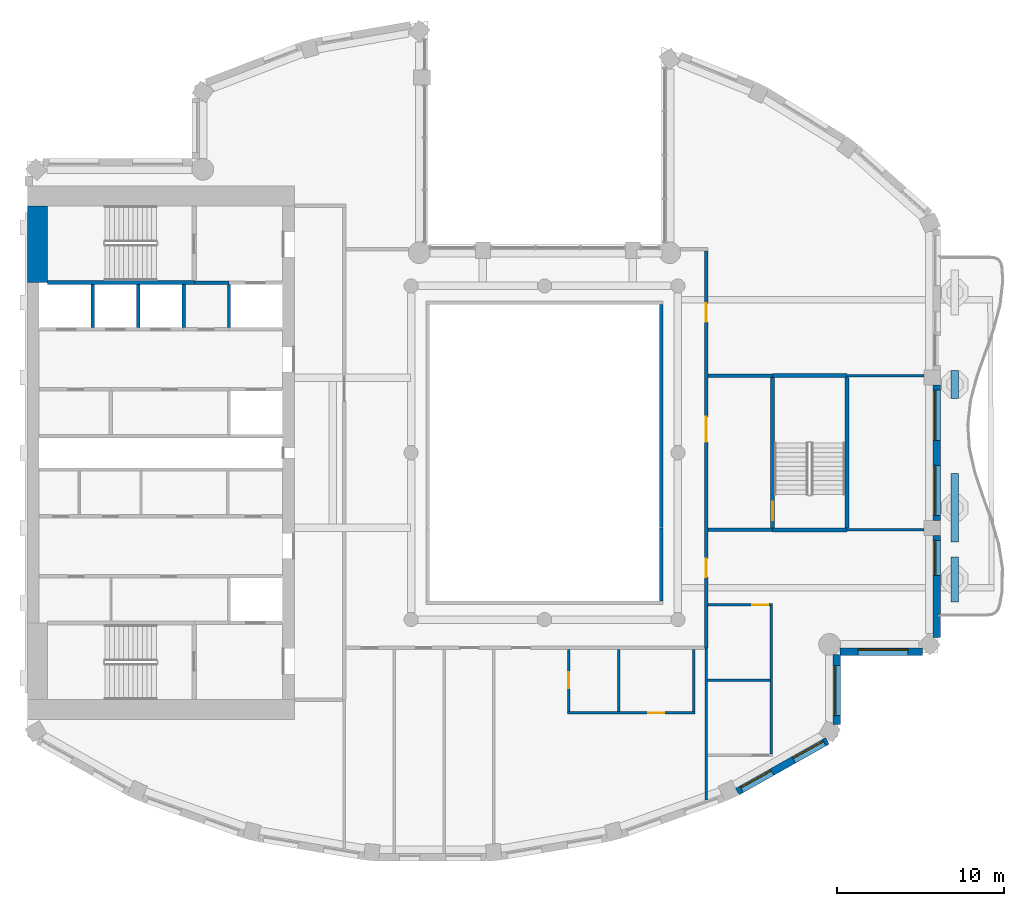
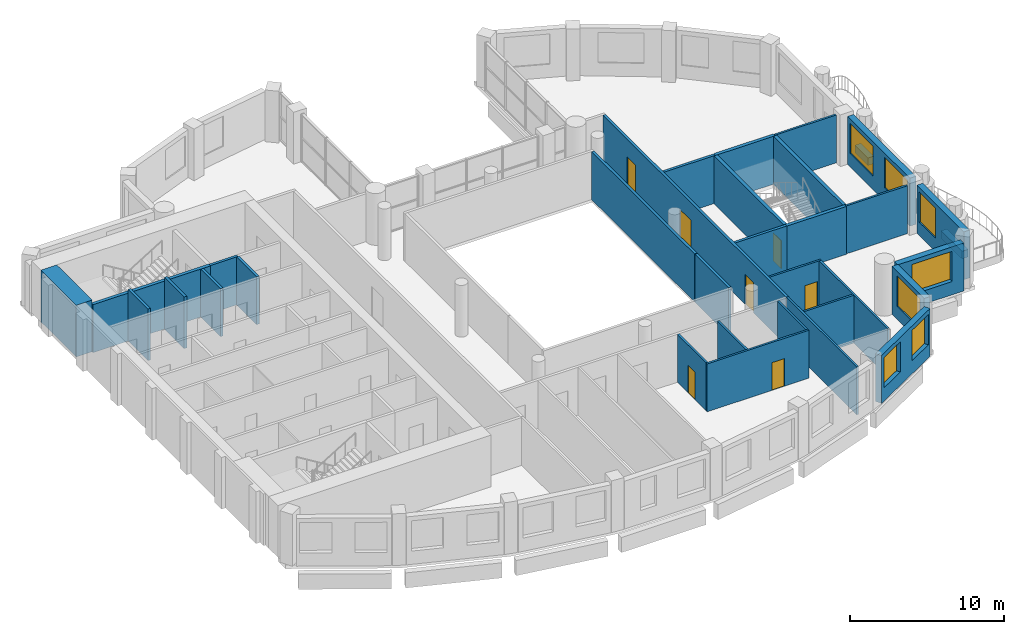
# One storey, part 6 of 14: 34 walls, 7 doors, 7 windows, 14 openings.
"""IFC4 building model written with IfcOpenShell, lengths in metres."""

from ifc_helpers import new_model, si_unit, direction, frame, frame_2d, origin, place, context, subcontext, project, spatial, rectangle, extrude, material, layer, layer_set, type_object, element, fill, save


model = new_model("IFC4")

# Units and contexts
model_context = context("Model", 3, precision=1e-05, world=origin(), true_north=direction((0.0, 1.0)))
body_context = subcontext(model_context, "Body", "Model", "MODEL_VIEW")
ifc_project = project(units=[si_unit("LENGTHUNIT", "METRE"), si_unit("AREAUNIT", "SQUARE_METRE"), si_unit("VOLUMEUNIT", "CUBIC_METRE"), si_unit("PLANEANGLEUNIT", "RADIAN"), si_unit("MASSUNIT", "GRAM", prefix="KILO")], contexts=[model_context])

# Site, building, storey
site_placement = place(None, origin())
site = spatial("IfcSite", under=ifc_project, at=site_placement, CompositionType="ELEMENT")
building_placement = place(site_placement, origin())
building = spatial("IfcBuilding", under=site, at=building_placement, Name="Cypress Arch Tower", CompositionType="ELEMENT")
storey_placement = place(building_placement, frame((0.0, 0.0, 268.0)))
storey = spatial("IfcBuildingStorey", under=building, at=storey_placement, Name="L60", CompositionType="ELEMENT", Elevation=268.0)

# Walls
ifc_material_1 = material(Name="Concrete C40/50, waterproofed", Category="concrete")
ifc_layer_1 = layer(ifc_material_1, 0.449951171875)
ifc_layer_set_1 = layer_set([ifc_layer_1], Name="Balcony planter wall PW450")
wall_type_1 = type_object("IfcWallType", Name="Balcony planter wall PW450", PredefinedType="SOLIDWALL", material=ifc_layer_set_1)
wall_1_placement = place(storey_placement, frame((25.60009765625, -8.949951171875, 0.0), z_axis=(0.0, 0.0, 1.0), x_axis=(0.0, 1.0, 0.0)))
element("IfcWall", 1, at=wall_1_placement, inside=storey, type_object=wall_type_1, Name="Balcony planter wall L60-C17.1", PredefinedType="SOLIDWALL", context=body_context, shape_type="SweptSolid", body=[
    extrude(rectangle(XDim=2.699951171875, YDim=0.449951171875, at=frame_2d((1.35009765625, 0.0))), origin(), (0.0, 0.0, 1.0), 0.60009765625),
])
wall_2_placement = place(storey_placement, frame((25.60009765625, -5.35009765625, 0.0), z_axis=(0.0, 0.0, 1.0), x_axis=(0.0, 1.0, 0.0)))
element("IfcWall", 2, at=wall_2_placement, inside=storey, type_object=wall_type_1, Name="Balcony planter wall L60-C17.2", PredefinedType="SOLIDWALL", context=body_context, shape_type="SweptSolid", body=[
    extrude(rectangle(XDim=4.10009765625, YDim=0.449951171875, at=frame_2d((2.050048828125, 0.0))), origin(), (0.0, 0.0, 1.0), 0.60009765625),
])
wall_3_placement = place(storey_placement, frame((25.60009765625, 3.25, 0.0), z_axis=(0.0, 0.0, 1.0), x_axis=(0.0, 1.0, 0.0)))
element("IfcWall", 3, at=wall_3_placement, inside=storey, type_object=wall_type_1, Name="Balcony planter wall L60-C17.3", PredefinedType="SOLIDWALL", context=body_context, shape_type="SweptSolid", body=[
    extrude(rectangle(XDim=1.69140625, YDim=0.449951171875, at=frame_2d((0.845703125, 0.0))), origin(), (0.0, 0.0, 1.0), 0.60009765625),
])

# Wall, openings, windows
ifc_material_2 = material(Name="Brick (red buff blend)", Category="masonry")
ifc_layer_2 = layer(ifc_material_2, 0.449951171875)
ifc_layer_set_2 = layer_set([ifc_layer_2], Name="Brick pier and spandrel wall BW450")
wall_type_2 = type_object("IfcWallType", Name="Brick pier and spandrel wall BW450", PredefinedType="SOLIDWALL", material=ifc_layer_set_2)
wall_4_placement = place(storey_placement, frame((12.55908203125, -20.320068359375, 0.0), z_axis=(0.0, 0.0, 1.0), x_axis=(0.871065783524, 0.491166367714, 0.0)))
wall_4 = element("IfcWall", 4, at=wall_4_placement, inside=storey, type_object=wall_type_2, Name="Brick wall L60 C14.0", PredefinedType="SOLIDWALL", context=body_context, shape_type="SweptSolid", body=[
    extrude(rectangle(XDim=6.1962890625, YDim=0.449951171875, at=frame_2d((3.09814453125, 0.0))), origin(), (0.0, 0.0, 1.0), 3.800048828125),
])
opening_1_placement = place(wall_4_placement, frame((0.29052734375, 0.0, 1.050048828125)))
opening_1 = element("IfcOpeningElement", 5, at=opening_1_placement, cuts=wall_4, Name="Opening W210O", PredefinedType="OPENING", context=body_context, shape_type="SweptSolid", body=[
    extrude(rectangle(XDim=2.10009765625, YDim=2.39990234375, at=frame_2d((1.050048828125, 1.199951171875))), frame((0.0, 0.23486328125, 0.0), z_axis=(0.0, -1.0, 0.0), x_axis=(1.0, 0.0, 0.0)), (0.0, 0.0, 1.0), 0.469970703125),
])
opening_2_placement = place(wall_4_placement, frame((3.875244140625, 0.0, 1.050048828125)))
opening_2 = element("IfcOpeningElement", 6, at=opening_2_placement, cuts=wall_4, Name="Opening W210O", PredefinedType="OPENING", context=body_context, shape_type="SweptSolid", body=[
    extrude(rectangle(XDim=2.10009765625, YDim=2.39990234375, at=frame_2d((1.050048828125, 1.199951171875))), frame((0.0, 0.23486328125, 0.0), z_axis=(0.0, -1.0, 0.0), x_axis=(1.0, 0.0, 0.0)), (0.0, 0.0, 1.0), 0.469970703125),
])
ifc_material_3 = material(Name="Anodised aluminium, bronze finish, clear low-emissivity double glazing", Category="aluminium")
window_type_1 = type_object("IfcWindowType", Name="Window Office 2100x2400", PartitioningType="SINGLE_PANEL", PredefinedType="WINDOW", material=ifc_material_3)
window_1_placement = place(opening_1_placement, origin())
window_1 = element("IfcWindow", 7, at=window_1_placement, inside=storey, type_object=window_type_1, Name="Window L60 C14.0.1", OverallHeight=2.39990234375, OverallWidth=2.10009765625, PartitioningType="SINGLE_PANEL", PredefinedType="WINDOW", context=body_context, shape_type="SweptSolid", body=[
    extrude(rectangle(XDim=2.10009765625, YDim=2.39990234375, at=frame_2d((1.050048828125, 1.199951171875))), frame((0.0, 0.135009765625, 0.0), z_axis=(0.0, -1.0, 0.0), x_axis=(1.0, 0.0, 0.0)), (0.0, 0.0, 1.0), 0.06005859375),
])
fill(opening_1, window_1)
window_2_placement = place(opening_2_placement, origin())
window_2 = element("IfcWindow", 8, at=window_2_placement, inside=storey, type_object=window_type_1, Name="Window L60 C14.0.2", OverallHeight=2.39990234375, OverallWidth=2.10009765625, PartitioningType="SINGLE_PANEL", PredefinedType="WINDOW", context=body_context, shape_type="SweptSolid", body=[
    extrude(rectangle(XDim=2.10009765625, YDim=2.39990234375, at=frame_2d((1.050048828125, 1.199951171875))), frame((0.0, 0.135009765625, 0.0), z_axis=(0.0, -1.0, 0.0), x_axis=(1.0, 0.0, 0.0)), (0.0, 0.0, 1.0), 0.06005859375),
])
fill(opening_2, window_2)

# Wall, opening, window
wall_5_placement = place(storey_placement, frame((18.52490234375, -16.3037109375, 0.0), z_axis=(0.0, 0.0, 1.0), x_axis=(0.0, 1.0, 0.0)))
wall_5 = element("IfcWall", 9, at=wall_5_placement, inside=storey, type_object=wall_type_2, Name="Brick wall L60 C15.0", PredefinedType="SOLIDWALL", context=body_context, shape_type="SweptSolid", body=[
    extrude(rectangle(XDim=4.2021484375, YDim=0.449951171875, at=frame_2d((2.10107421875, 0.0))), origin(), (0.0, 0.0, 1.0), 3.800048828125),
])
opening_3_placement = place(wall_5_placement, frame((0.541259765625, 0.0, 1.050048828125)))
opening_3 = element("IfcOpeningElement", 10, at=opening_3_placement, cuts=wall_5, Name="Opening W300O", PredefinedType="OPENING", context=body_context, shape_type="SweptSolid", body=[
    extrude(rectangle(XDim=3.0, YDim=2.39990234375, at=frame_2d((1.5, 1.199951171875))), frame((0.0, 0.23486328125, 0.0), z_axis=(0.0, -1.0, 0.0), x_axis=(1.0, 0.0, 0.0)), (0.0, 0.0, 1.0), 0.469970703125),
])
ifc_material_4 = material(Name="Anodised aluminium, bronze finish, clear low-emissivity double glazing", Category="aluminium")
window_type_2 = type_object("IfcWindowType", Name="Window Office 3000x2400", PartitioningType="SINGLE_PANEL", PredefinedType="WINDOW", material=ifc_material_4)
window_3_placement = place(opening_3_placement, origin())
window_3 = element("IfcWindow", 11, at=window_3_placement, inside=storey, type_object=window_type_2, Name="Window L60 C15.0.1", OverallHeight=2.39990234375, OverallWidth=3.0, PartitioningType="SINGLE_PANEL", PredefinedType="WINDOW", context=body_context, shape_type="SweptSolid", body=[
    extrude(rectangle(XDim=3.0, YDim=2.39990234375, at=frame_2d((1.5, 1.199951171875))), frame((0.0, 0.135009765625, 0.0), z_axis=(0.0, -1.0, 0.0), x_axis=(1.0, 0.0, 0.0)), (0.0, 0.0, 1.0), 0.06005859375),
])
fill(opening_3, window_3)

wall_6_placement = place(storey_placement, frame((18.701416015625, -11.925048828125, 0.0), z_axis=(0.0, 0.0, 1.0), x_axis=(1.0, 0.0, 0.0)))
wall_6 = element("IfcWall", 12, at=wall_6_placement, inside=storey, type_object=wall_type_2, Name="Brick wall L60 C16.0", PredefinedType="SOLIDWALL", context=body_context, shape_type="SweptSolid", body=[
    extrude(rectangle(XDim=4.962158203125, YDim=0.449951171875, at=frame_2d((2.48095703125, 0.0))), origin(), (0.0, 0.0, 1.0), 3.800048828125),
])
opening_4_placement = place(wall_6_placement, frame((1.098388671875, 0.0, 1.050048828125)))
opening_4 = element("IfcOpeningElement", 13, at=opening_4_placement, cuts=wall_6, Name="Opening W300O", PredefinedType="OPENING", context=body_context, shape_type="SweptSolid", body=[
    extrude(rectangle(XDim=3.0, YDim=2.39990234375, at=frame_2d((1.5, 1.199951171875))), frame((0.0, 0.23486328125, 0.0), z_axis=(0.0, -1.0, 0.0), x_axis=(1.0, 0.0, 0.0)), (0.0, 0.0, 1.0), 0.469970703125),
])
window_4_placement = place(opening_4_placement, origin())
window_4 = element("IfcWindow", 14, at=window_4_placement, inside=storey, type_object=window_type_2, Name="Window L60 C16.0.1", OverallHeight=2.39990234375, OverallWidth=3.0, PartitioningType="SINGLE_PANEL", PredefinedType="WINDOW", context=body_context, shape_type="SweptSolid", body=[
    extrude(rectangle(XDim=3.0, YDim=2.39990234375, at=frame_2d((1.5, 1.199951171875))), frame((0.0, 0.135009765625, 0.0), z_axis=(0.0, -1.0, 0.0), x_axis=(1.0, 0.0, 0.0)), (0.0, 0.0, 1.0), 0.06005859375),
])
fill(opening_4, window_4)

wall_7_placement = place(storey_placement, frame((24.52490234375, -11.063720703125, 0.0), z_axis=(0.0, 0.0, 1.0), x_axis=(0.0, 1.0, 0.0)))
wall_7 = element("IfcWall", 15, at=wall_7_placement, inside=storey, type_object=wall_type_2, Name="Brick wall L60 C17.0", PredefinedType="SOLIDWALL", context=body_context, shape_type="SweptSolid", body=[
    extrude(rectangle(XDim=6.11376953125, YDim=0.449951171875, at=frame_2d((3.056884765625, 0.0))), origin(), (0.0, 0.0, 1.0), 3.800048828125),
])
opening_5_placement = place(wall_7_placement, frame((3.713623046875, 0.0, 1.050048828125)))
opening_5 = element("IfcOpeningElement", 16, at=opening_5_placement, cuts=wall_7, Name="Opening W210OD", PredefinedType="OPENING", context=body_context, shape_type="SweptSolid", body=[
    extrude(rectangle(XDim=2.10009765625, YDim=2.39990234375, at=frame_2d((1.050048828125, 1.199951171875))), frame((0.0, 0.23486328125, 0.0), z_axis=(0.0, -1.0, 0.0), x_axis=(1.0, 0.0, 0.0)), (0.0, 0.0, 1.0), 0.469970703125),
])
ifc_material_5 = material(Name="Anodised aluminium, bronze finish, laminated low-emissivity double glazing, large-missile impact rated", Category="aluminium")
window_type_3 = type_object("IfcWindowType", Name="Window Office 2100x2400 debris-rated", PartitioningType="SINGLE_PANEL", PredefinedType="WINDOW", material=ifc_material_5)
window_5_placement = place(opening_5_placement, origin())
window_5 = element("IfcWindow", 17, at=window_5_placement, inside=storey, type_object=window_type_3, Name="Window L60 C17.0.2", OverallHeight=2.39990234375, OverallWidth=2.10009765625, PartitioningType="SINGLE_PANEL", PredefinedType="WINDOW", context=body_context, shape_type="SweptSolid", body=[
    extrude(rectangle(XDim=2.10009765625, YDim=2.39990234375, at=frame_2d((1.050048828125, 1.199951171875))), frame((0.0, 0.135009765625, 0.0), z_axis=(0.0, -1.0, 0.0), x_axis=(1.0, 0.0, 0.0)), (0.0, 0.0, 1.0), 0.06005859375),
])
fill(opening_5, window_5)

# Wall, openings, windows
wall_8_placement = place(storey_placement, frame((24.52490234375, -4.050048828125, 0.0), z_axis=(0.0, 0.0, 1.0), x_axis=(0.0, 1.0, 0.0)))
wall_8 = element("IfcWall", 18, at=wall_8_placement, inside=storey, type_object=wall_type_2, Name="Brick wall L60 C17.1", PredefinedType="SOLIDWALL", context=body_context, shape_type="SweptSolid", body=[
    extrude(rectangle(XDim=8.10009765625, YDim=0.449951171875, at=frame_2d((4.050048828125, 0.0))), origin(), (0.0, 0.0, 1.0), 3.800048828125),
])
opening_6_placement = place(wall_8_placement, frame((0.300048828125, 0.0, 1.050048828125)))
opening_6 = element("IfcOpeningElement", 19, at=opening_6_placement, cuts=wall_8, Name="Opening W300OD", PredefinedType="OPENING", context=body_context, shape_type="SweptSolid", body=[
    extrude(rectangle(XDim=3.0, YDim=2.39990234375, at=frame_2d((1.5, 1.199951171875))), frame((0.0, 0.23486328125, 0.0), z_axis=(0.0, -1.0, 0.0), x_axis=(1.0, 0.0, 0.0)), (0.0, 0.0, 1.0), 0.469970703125),
])
opening_7_placement = place(wall_8_placement, frame((4.800048828125, 0.0, 1.050048828125)))
opening_7 = element("IfcOpeningElement", 20, at=opening_7_placement, cuts=wall_8, Name="Opening W300OD", PredefinedType="OPENING", context=body_context, shape_type="SweptSolid", body=[
    extrude(rectangle(XDim=3.0, YDim=2.39990234375, at=frame_2d((1.5, 1.199951171875))), frame((0.0, 0.23486328125, 0.0), z_axis=(0.0, -1.0, 0.0), x_axis=(1.0, 0.0, 0.0)), (0.0, 0.0, 1.0), 0.469970703125),
])
ifc_material_6 = material(Name="Anodised aluminium, bronze finish, laminated low-emissivity double glazing, large-missile impact rated", Category="aluminium")
window_type_4 = type_object("IfcWindowType", Name="Window Office 3000x2400 debris-rated", PartitioningType="SINGLE_PANEL", PredefinedType="WINDOW", material=ifc_material_6)
window_6_placement = place(opening_6_placement, origin())
window_6 = element("IfcWindow", 21, at=window_6_placement, inside=storey, type_object=window_type_4, Name="Window L60 C17.1.1", OverallHeight=2.39990234375, OverallWidth=3.0, PartitioningType="SINGLE_PANEL", PredefinedType="WINDOW", context=body_context, shape_type="SweptSolid", body=[
    extrude(rectangle(XDim=3.0, YDim=2.39990234375, at=frame_2d((1.5, 1.199951171875))), frame((0.0, 0.135009765625, 0.0), z_axis=(0.0, -1.0, 0.0), x_axis=(1.0, 0.0, 0.0)), (0.0, 0.0, 1.0), 0.06005859375),
])
fill(opening_6, window_6)
window_7_placement = place(opening_7_placement, origin())
window_7 = element("IfcWindow", 22, at=window_7_placement, inside=storey, type_object=window_type_4, Name="Window L60 C17.1.2", OverallHeight=2.39990234375, OverallWidth=3.0, PartitioningType="SINGLE_PANEL", PredefinedType="WINDOW", context=body_context, shape_type="SweptSolid", body=[
    extrude(rectangle(XDim=3.0, YDim=2.39990234375, at=frame_2d((1.5, 1.199951171875))), frame((0.0, 0.135009765625, 0.0), z_axis=(0.0, -1.0, 0.0), x_axis=(1.0, 0.0, 0.0)), (0.0, 0.0, 1.0), 0.06005859375),
])
fill(opening_7, window_7)

# Walls
ifc_material_7 = material(Name="Concrete C60/75", Category="concrete")
ifc_layer_3 = layer(ifc_material_7, 1.199951171875)
ifc_layer_set_3 = layer_set([ifc_layer_3], Name="Core wall CW1200 C60/75")
wall_type_3 = type_object("IfcWallType", Name="Core wall CW1200 C60/75", PredefinedType="SHEAR", material=ifc_layer_set_3)
wall_9_placement = place(storey_placement, frame((-29.39990234375, 10.199951171875, 0.0), z_axis=(0.0, 0.0, 1.0), x_axis=(0.0, 1.0, 0.0)))
element("IfcWall", 23, at=wall_9_placement, inside=storey, type_object=wall_type_3, Name="Core wall", PredefinedType="SHEAR", context=body_context, shape_type="SweptSolid", body=[
    extrude(rectangle(XDim=4.60009765625, YDim=1.199951171875, at=frame_2d((2.300048828125, 0.0))), origin(), (0.0, 0.0, 1.0), 4.10009765625),
])
ifc_material_8 = material(Name="Concrete blockwork, plastered, rated", Category="masonry")
ifc_layer_4 = layer(ifc_material_8, 0.199951171875)
ifc_layer_set_4 = layer_set([ifc_layer_4], Name="Corridor wall FW200")
wall_type_4 = type_object("IfcWallType", Name="Corridor wall FW200", PredefinedType="PARTITIONING", material=ifc_layer_set_4)
wall_10_placement = place(storey_placement, frame((-20.0, 10.199951171875, 0.0), z_axis=(0.0, 0.0, 1.0), x_axis=(1.0, 0.0, 0.0)))
element("IfcWall", 24, at=wall_10_placement, inside=storey, type_object=wall_type_4, Name="Corridor wall", PredefinedType="PARTITIONING", context=body_context, shape_type="SweptSolid", body=[
    extrude(rectangle(XDim=2.080078125, YDim=0.199951171875, at=frame_2d((1.0400390625, 0.0))), origin(), (0.0, 0.0, 1.0), 3.800048828125),
])
wall_11_placement = place(storey_placement, frame((8.0, -8.89990234375, 0.0), z_axis=(0.0, 0.0, 1.0), x_axis=(0.0, 1.0, 0.0)))
element("IfcWall", 25, at=wall_11_placement, inside=storey, type_object=wall_type_4, Name="Corridor wall", PredefinedType="PARTITIONING", context=body_context, shape_type="SweptSolid", body=[
    extrude(rectangle(XDim=4.3798828125, YDim=0.199951171875, at=frame_2d((2.18994140625, 0.0))), origin(), (0.0, 0.0, 1.0), 3.800048828125),
])
wall_12_placement = place(storey_placement, frame((8.0, -4.47998046875, 0.0), z_axis=(0.0, 0.0, 1.0), x_axis=(0.0, 1.0, 0.0)))
element("IfcWall", 26, at=wall_12_placement, inside=storey, type_object=wall_type_4, Name="Corridor wall", PredefinedType="PARTITIONING", context=body_context, shape_type="SweptSolid", body=[
    extrude(rectangle(XDim=13.3798828125, YDim=0.199951171875, at=frame_2d((6.68994140625, 0.0))), origin(), (0.0, 0.0, 1.0), 3.800048828125),
])

# Wall, openings, doors
wall_13_placement = place(storey_placement, frame((10.699951171875, -11.699951171875, 0.0), z_axis=(0.0, 0.0, 1.0), x_axis=(0.0, 1.0, 0.0)))
wall_13 = element("IfcWall", 27, at=wall_13_placement, inside=storey, type_object=wall_type_4, Name="Corridor wall", PredefinedType="PARTITIONING", context=body_context, shape_type="SweptSolid", body=[
    extrude(rectangle(XDim=23.800048828125, YDim=0.199951171875, at=frame_2d((11.89990234375, 0.0))), origin(), (0.0, 0.0, 1.0), 3.800048828125),
])
opening_8_placement = place(wall_13_placement, frame((12.35009765625, 0.0, 0.0)))
opening_8 = element("IfcOpeningElement", 28, at=opening_8_placement, cuts=wall_13, Name="Opening D07", PredefinedType="OPENING", context=body_context, shape_type="SweptSolid", body=[
    extrude(rectangle(XDim=1.5, YDim=2.39990234375, at=frame_2d((0.75, 1.199951171875))), frame((0.0, 0.10986328125, 0.0), z_axis=(0.0, -1.0, 0.0), x_axis=(1.0, 0.0, 0.0)), (0.0, 0.0, 1.0), 0.219970703125),
])
opening_9_placement = place(wall_13_placement, frame((19.550048828125, 0.0, 0.0)))
opening_9 = element("IfcOpeningElement", 29, at=opening_9_placement, cuts=wall_13, Name="Opening D01", PredefinedType="OPENING", context=body_context, shape_type="SweptSolid", body=[
    extrude(rectangle(XDim=1.10009765625, YDim=2.39990234375, at=frame_2d((0.550048828125, 1.199951171875))), frame((0.0, 0.10986328125, 0.0), z_axis=(0.0, -1.0, 0.0), x_axis=(1.0, 0.0, 0.0)), (0.0, 0.0, 1.0), 0.219970703125),
])
opening_10_placement = place(wall_13_placement, frame((4.25, 0.0, 0.0)))
opening_10 = element("IfcOpeningElement", 30, at=opening_10_placement, cuts=wall_13, Name="Opening D01", PredefinedType="OPENING", context=body_context, shape_type="SweptSolid", body=[
    extrude(rectangle(XDim=1.10009765625, YDim=2.39990234375, at=frame_2d((0.550048828125, 1.199951171875))), frame((0.0, 0.10986328125, 0.0), z_axis=(0.0, -1.0, 0.0), x_axis=(1.0, 0.0, 0.0)), (0.0, 0.0, 1.0), 0.219970703125),
])
ifc_material_9 = material(Name="Steel framed glazed door, fire resisting", Category="steel")
door_type_1 = type_object("IfcDoorType", Name="Lobby door D07 1500x2400", OperationType="DOUBLE_DOOR_SINGLE_SWING", PredefinedType="DOOR", material=ifc_material_9)
door_1_placement = place(opening_8_placement, origin())
door_1 = element("IfcDoor", 31, at=door_1_placement, inside=storey, type_object=door_type_1, Name="Lobby door", OperationType="DOUBLE_DOOR_SINGLE_SWING", OverallHeight=2.39990234375, OverallWidth=1.5, PredefinedType="DOOR", context=body_context, shape_type="SweptSolid", body=[
    extrude(rectangle(XDim=1.5, YDim=2.39990234375, at=frame_2d((0.75, 1.199951171875))), frame((0.0, 0.02490234375, 0.0), z_axis=(0.0, -1.0, 0.0), x_axis=(1.0, 0.0, 0.0)), (0.0, 0.0, 1.0), 0.050048828125),
])
fill(opening_8, door_1)
ifc_material_10 = material(Name="Timber flush door, fire resisting, self-closing", Category="wood")
door_type_2 = type_object("IfcDoorType", Name="Unit entrance door D01 1100x2400", OperationType="SINGLE_SWING_LEFT", PredefinedType="DOOR", material=ifc_material_10)
door_2_placement = place(opening_9_placement, origin())
door_2 = element("IfcDoor", 32, at=door_2_placement, inside=storey, type_object=door_type_2, Name="Unit entrance door", OperationType="SINGLE_SWING_LEFT", OverallHeight=2.39990234375, OverallWidth=1.10009765625, PredefinedType="DOOR", context=body_context, shape_type="SweptSolid", body=[
    extrude(rectangle(XDim=1.10009765625, YDim=2.39990234375, at=frame_2d((0.550048828125, 1.199951171875))), frame((0.0, 0.02490234375, 0.0), z_axis=(0.0, -1.0, 0.0), x_axis=(1.0, 0.0, 0.0)), (0.0, 0.0, 1.0), 0.050048828125),
])
fill(opening_9, door_2)
door_3_placement = place(opening_10_placement, origin())
door_3 = element("IfcDoor", 33, at=door_3_placement, inside=storey, type_object=door_type_2, Name="Unit entrance door", OperationType="SINGLE_SWING_RIGHT", OverallHeight=2.39990234375, OverallWidth=1.10009765625, PredefinedType="DOOR", context=body_context, shape_type="SweptSolid", body=[
    extrude(rectangle(XDim=1.10009765625, YDim=2.39990234375, at=frame_2d((0.550048828125, 1.199951171875))), frame((0.0, 0.02490234375, 0.0), z_axis=(0.0, -1.0, 0.0), x_axis=(1.0, 0.0, 0.0)), (0.0, 0.0, 1.0), 0.050048828125),
])
fill(opening_10, door_3)

# Walls
for number, where, z_axis, x_axis, name in (
    (34, (10.800048828125, -4.625, 0.0), (0.0, 0.0, 1.0), (1.0, 0.0, 0.0), "Corridor wall"),
    (35, (10.800048828125, 4.625, 0.0), (0.0, 0.0, 1.0), (1.0, 0.0, 0.0), "Corridor wall"),
):
    element("IfcWall", number, at=place(storey_placement, frame(where, z_axis=z_axis, x_axis=x_axis)), inside=storey, type_object=wall_type_4, Name=name, PredefinedType="PARTITIONING", context=body_context, shape_type="SweptSolid", body=[
        extrude(rectangle(XDim=3.875, YDim=0.199951171875, at=frame_2d((1.9375, 0.0))), origin(), (0.0, 0.0, 1.0), 3.800048828125),
    ])

# Wall, opening, door
ifc_material_11 = material(Name="Blockwork, plastered both sides", Category="masonry")
ifc_layer_5 = layer(ifc_material_11, 0.14990234375)
ifc_layer_set_5 = layer_set([ifc_layer_5], Name="Partition PW150")
wall_type_5 = type_object("IfcWallType", Name="Partition PW150", PredefinedType="PARTITIONING", material=ifc_layer_set_5)
wall_14_placement = place(storey_placement, frame((2.4541015625, -15.52490234375, 0.0), z_axis=(0.0, 0.0, 1.0), x_axis=(0.0, 1.0, 0.0)))
wall_14 = element("IfcWall", 36, at=wall_14_placement, inside=storey, type_object=wall_type_5, Name="Partition", PredefinedType="PARTITIONING", context=body_context, shape_type="SweptSolid", body=[
    extrude(rectangle(XDim=3.724853515625, YDim=0.14990234375, at=frame_2d((1.8623046875, 0.0))), origin(), (0.0, 0.0, 1.0), 3.800048828125),
])
opening_11_placement = place(wall_14_placement, frame((1.39990234375, 0.0, 0.0)))
opening_11 = element("IfcOpeningElement", 37, at=opening_11_placement, cuts=wall_14, Name="Opening D12", PredefinedType="OPENING", context=body_context, shape_type="SweptSolid", body=[
    extrude(rectangle(XDim=0.949951171875, YDim=2.199951171875, at=frame_2d((0.47509765625, 1.10009765625))), frame((0.0, 0.0849609375, 0.0), z_axis=(0.0, -1.0, 0.0), x_axis=(1.0, 0.0, 0.0)), (0.0, 0.0, 1.0), 0.169921875),
])
ifc_material_12 = material(Name="Timber flush door", Category="wood")
door_type_3 = type_object("IfcDoorType", Name="Room door D12 950x2200", OperationType="SINGLE_SWING_LEFT", PredefinedType="DOOR", material=ifc_material_12)
door_4_placement = place(opening_11_placement, origin())
door_4 = element("IfcDoor", 38, at=door_4_placement, inside=storey, type_object=door_type_3, Name="Room door", OperationType="SINGLE_SWING_RIGHT", OverallHeight=2.199951171875, OverallWidth=0.949951171875, PredefinedType="DOOR", context=body_context, shape_type="SweptSolid", body=[
    extrude(rectangle(XDim=0.949951171875, YDim=2.199951171875, at=frame_2d((0.47509765625, 1.10009765625))), frame((0.0, 0.02490234375, 0.0), z_axis=(0.0, -1.0, 0.0), x_axis=(1.0, 0.0, 0.0)), (0.0, 0.0, 1.0), 0.050048828125),
])
fill(opening_11, door_4)

wall_15_placement = place(storey_placement, frame((2.37890625, -15.60009765625, 0.0), z_axis=(0.0, 0.0, 1.0), x_axis=(1.0, 0.0, 0.0)))
wall_15 = element("IfcWall", 39, at=wall_15_placement, inside=storey, type_object=wall_type_5, Name="Partition", PredefinedType="PARTITIONING", context=body_context, shape_type="SweptSolid", body=[
    extrude(rectangle(XDim=7.650146484375, YDim=0.14990234375, at=frame_2d((3.8251953125, 0.0))), origin(), (0.0, 0.0, 1.0), 3.800048828125),
])
opening_12_placement = place(wall_15_placement, frame((4.85009765625, 0.0, 0.0)))
opening_12 = element("IfcOpeningElement", 40, at=opening_12_placement, cuts=wall_15, Name="Opening D12", PredefinedType="OPENING", context=body_context, shape_type="SweptSolid", body=[
    extrude(rectangle(XDim=0.949951171875, YDim=2.199951171875, at=frame_2d((0.47509765625, 1.10009765625))), frame((0.0, 0.0849609375, 0.0), z_axis=(0.0, -1.0, 0.0), x_axis=(1.0, 0.0, 0.0)), (0.0, 0.0, 1.0), 0.169921875),
])
door_5_placement = place(opening_12_placement, origin())
door_5 = element("IfcDoor", 41, at=door_5_placement, inside=storey, type_object=door_type_3, Name="Room door", OperationType="SINGLE_SWING_LEFT", OverallHeight=2.199951171875, OverallWidth=0.949951171875, PredefinedType="DOOR", context=body_context, shape_type="SweptSolid", body=[
    extrude(rectangle(XDim=0.949951171875, YDim=2.199951171875, at=frame_2d((0.47509765625, 1.10009765625))), frame((0.0, 0.02490234375, 0.0), z_axis=(0.0, -1.0, 0.0), x_axis=(1.0, 0.0, 0.0)), (0.0, 0.0, 1.0), 0.050048828125),
])
fill(opening_12, door_5)

# Walls
for number, where, z_axis, x_axis, name in (
    (42, (5.4541015625, -15.52490234375, 0.0), (0.0, 0.0, 1.0), (0.0, 1.0, 0.0), "Partition"),
    (43, (9.9541015625, -15.52490234375, 0.0), (0.0, 0.0, 1.0), (0.0, 1.0, 0.0), "Partition"),
):
    element("IfcWall", number, at=place(storey_placement, frame(where, z_axis=z_axis, x_axis=x_axis)), inside=storey, type_object=wall_type_5, Name=name, PredefinedType="PARTITIONING", context=body_context, shape_type="SweptSolid", body=[
        extrude(rectangle(XDim=3.724853515625, YDim=0.14990234375, at=frame_2d((1.8623046875, 0.0))), origin(), (0.0, 0.0, 1.0), 3.800048828125),
    ])
wall_16_placement = place(storey_placement, frame((10.699951171875, -20.828369140625, 0.0), z_axis=(0.0, 0.0, 1.0), x_axis=(0.0, 1.0, 0.0)))
element("IfcWall", 44, at=wall_16_placement, inside=storey, type_object=wall_type_5, Name="Partition", PredefinedType="PARTITIONING", context=body_context, shape_type="SweptSolid", body=[
    extrude(rectangle(XDim=9.12841796875, YDim=0.14990234375, at=frame_2d((4.564208984375, 0.0))), origin(), (0.0, 0.0, 1.0), 3.800048828125),
])
wall_17_placement = place(storey_placement, frame((10.77490234375, -13.625, 0.0), z_axis=(0.0, 0.0, 1.0), x_axis=(1.0, 0.0, 0.0)))
element("IfcWall", 45, at=wall_17_placement, inside=storey, type_object=wall_type_5, Name="Partition", PredefinedType="PARTITIONING", context=body_context, shape_type="SweptSolid", body=[
    extrude(rectangle(XDim=3.75, YDim=0.14990234375, at=frame_2d((1.875, 0.0))), origin(), (0.0, 0.0, 1.0), 3.800048828125),
])

# Wall, opening, door
wall_18_placement = place(storey_placement, frame((10.800048828125, -9.125, 0.0), z_axis=(0.0, 0.0, 1.0), x_axis=(1.0, 0.0, 0.0)))
wall_18 = element("IfcWall", 46, at=wall_18_placement, inside=storey, type_object=wall_type_5, Name="Partition", PredefinedType="PARTITIONING", context=body_context, shape_type="SweptSolid", body=[
    extrude(rectangle(XDim=3.875, YDim=0.14990234375, at=frame_2d((1.9375, 0.0))), origin(), (0.0, 0.0, 1.0), 3.800048828125),
])
opening_13_placement = place(wall_18_placement, frame((2.64990234375, 0.0, 0.0)))
opening_13 = element("IfcOpeningElement", 47, at=opening_13_placement, cuts=wall_18, Name="Opening D12", PredefinedType="OPENING", context=body_context, shape_type="SweptSolid", body=[
    extrude(rectangle(XDim=0.949951171875, YDim=2.199951171875, at=frame_2d((0.47509765625, 1.10009765625))), frame((0.0, 0.0849609375, 0.0), z_axis=(0.0, -1.0, 0.0), x_axis=(1.0, 0.0, 0.0)), (0.0, 0.0, 1.0), 0.169921875),
])
door_6_placement = place(opening_13_placement, origin())
door_6 = element("IfcDoor", 48, at=door_6_placement, inside=storey, type_object=door_type_3, Name="Room door", OperationType="SINGLE_SWING_LEFT", OverallHeight=2.199951171875, OverallWidth=0.949951171875, PredefinedType="DOOR", context=body_context, shape_type="SweptSolid", body=[
    extrude(rectangle(XDim=0.949951171875, YDim=2.199951171875, at=frame_2d((0.47509765625, 1.10009765625))), frame((0.0, 0.02490234375, 0.0), z_axis=(0.0, -1.0, 0.0), x_axis=(1.0, 0.0, 0.0)), (0.0, 0.0, 1.0), 0.050048828125),
])
fill(opening_13, door_6)

# Walls
wall_19_placement = place(storey_placement, frame((14.60009765625, -18.050048828125, 0.0), z_axis=(0.0, 0.0, 1.0), x_axis=(0.0, 1.0, 0.0)))
element("IfcWall", 49, at=wall_19_placement, inside=storey, type_object=wall_type_5, Name="Partition", PredefinedType="PARTITIONING", context=body_context, shape_type="SweptSolid", body=[
    extrude(rectangle(XDim=8.85009765625, YDim=0.14990234375, at=frame_2d((4.425048828125, 0.0))), origin(), (0.0, 0.0, 1.0), 3.800048828125),
])
for number, where, z_axis, x_axis, name in (
    (50, (19.14501953125, -4.625, 0.0), (0.0, 0.0, 1.0), (1.0, 0.0, 0.0), "Partition"),
    (51, (19.14501953125, 4.625, 0.0), (0.0, 0.0, 1.0), (1.0, 0.0, 0.0), "Partition"),
):
    element("IfcWall", number, at=place(storey_placement, frame(where, z_axis=z_axis, x_axis=x_axis)), inside=storey, type_object=wall_type_5, Name=name, PredefinedType="PARTITIONING", context=body_context, shape_type="SweptSolid", body=[
        extrude(rectangle(XDim=4.60498046875, YDim=0.14990234375, at=frame_2d((2.302490234375, 0.0))), origin(), (0.0, 0.0, 1.0), 3.800048828125),
    ])
ifc_material_13 = material(Name="Concrete C50/60", Category="concrete")
ifc_layer_6 = layer(ifc_material_13, 0.199951171875)
ifc_layer_set_6 = layer_set([ifc_layer_6], Name="Shaft wall SH200")
wall_type_6 = type_object("IfcWallType", Name="Shaft wall SH200", PredefinedType="SHEAR", material=ifc_layer_set_6)
for number, where, z_axis, x_axis, name in (
    (52, (-26.080078125, 7.5, 0.0), (0.0, 0.0, 1.0), (0.0, 1.0, 0.0), "Shaft wall"),
    (53, (-23.360107421875, 7.5, 0.0), (0.0, 0.0, 1.0), (0.0, 1.0, 0.0), "Shaft wall"),
):
    element("IfcWall", number, at=place(storey_placement, frame(where, z_axis=z_axis, x_axis=x_axis)), inside=storey, type_object=wall_type_6, Name=name, PredefinedType="SHEAR", context=body_context, shape_type="SweptSolid", body=[
        extrude(rectangle(XDim=2.574951171875, YDim=0.199951171875, at=frame_2d((1.28759765625, 0.0))), origin(), (0.0, 0.0, 1.0), 4.10009765625),
    ])
wall_20_placement = place(storey_placement, frame((-20.639892578125, 7.5, 0.0), z_axis=(0.0, 0.0, 1.0), x_axis=(0.0, 1.0, 0.0)))
element("IfcWall", 54, at=wall_20_placement, inside=storey, type_object=wall_type_6, Name="Shaft wall", PredefinedType="SHEAR", context=body_context, shape_type="SweptSolid", body=[
    extrude(rectangle(XDim=2.574951171875, YDim=0.199951171875, at=frame_2d((1.28759765625, 0.0))), origin(), (0.0, 0.0, 1.0), 3.800048828125),
])
wall_21_placement = place(storey_placement, frame((-17.919921875, 7.5, 0.0), z_axis=(0.0, 0.0, 1.0), x_axis=(0.0, 1.0, 0.0)))
element("IfcWall", 55, at=wall_21_placement, inside=storey, type_object=wall_type_6, Name="Shaft wall", PredefinedType="SHEAR", context=body_context, shape_type="SweptSolid", body=[
    extrude(rectangle(XDim=2.60009765625, YDim=0.199951171875, at=frame_2d((1.300048828125, 0.0))), origin(), (0.0, 0.0, 1.0), 3.800048828125),
])
ifc_material_14 = material(Name="Concrete C50/60", Category="concrete")
ifc_layer_7 = layer(ifc_material_14, 0.25)
ifc_layer_set_7 = layer_set([ifc_layer_7], Name="Stair enclosure wall SW250")
wall_type_7 = type_object("IfcWallType", Name="Stair enclosure wall SW250", PredefinedType="SHEAR", material=ifc_layer_set_7)
wall_22_placement = place(storey_placement, frame((-28.81005859375, 10.199951171875, 0.0), z_axis=(0.0, 0.0, 1.0), x_axis=(1.0, 0.0, 0.0)))
element("IfcWall", 56, at=wall_22_placement, inside=storey, type_object=wall_type_7, Name="Stair enclosure wall", PredefinedType="SHEAR", context=body_context, shape_type="SweptSolid", body=[
    extrude(rectangle(XDim=8.81005859375, YDim=0.25, at=frame_2d((4.405029296875, 0.0))), origin(), (0.0, 0.0, 1.0), 3.800048828125),
])

# Wall, opening, door
wall_23_placement = place(storey_placement, frame((14.675048828125, -4.5, 0.0), z_axis=(0.0, 0.0, 1.0), x_axis=(0.0, 1.0, 0.0)))
wall_23 = element("IfcWall", 57, at=wall_23_placement, inside=storey, type_object=wall_type_7, Name="Stair enclosure wall", PredefinedType="SHEAR", context=body_context, shape_type="SweptSolid", body=[
    extrude(rectangle(XDim=9.0, YDim=0.25, at=frame_2d((4.5, 0.0))), origin(), (0.0, 0.0, 1.0), 3.800048828125),
])
opening_14_placement = place(wall_23_placement, frame((0.449951171875, 0.0, 0.0)))
opening_14 = element("IfcOpeningElement", 58, at=opening_14_placement, cuts=wall_23, Name="Opening D06", PredefinedType="OPENING", context=body_context, shape_type="SweptSolid", body=[
    extrude(rectangle(XDim=1.10009765625, YDim=2.199951171875, at=frame_2d((0.550048828125, 1.10009765625))), frame((0.0, 0.135009765625, 0.0), z_axis=(0.0, -1.0, 0.0), x_axis=(1.0, 0.0, 0.0)), (0.0, 0.0, 1.0), 0.27001953125),
])
ifc_material_15 = material(Name="Steel door, fire resisting, panic bar", Category="steel")
door_type_4 = type_object("IfcDoorType", Name="Stair door D06 1100x2200", OperationType="SINGLE_SWING_LEFT", PredefinedType="DOOR", material=ifc_material_15)
door_7_placement = place(opening_14_placement, origin())
door_7 = element("IfcDoor", 59, at=door_7_placement, inside=storey, type_object=door_type_4, Name="Stair door", OperationType="SINGLE_SWING_RIGHT", OverallHeight=2.199951171875, OverallWidth=1.10009765625, PredefinedType="DOOR", context=body_context, shape_type="SweptSolid", body=[
    extrude(rectangle(XDim=1.10009765625, YDim=2.199951171875, at=frame_2d((0.550048828125, 1.10009765625))), frame((0.0, 0.02490234375, 0.0), z_axis=(0.0, -1.0, 0.0), x_axis=(1.0, 0.0, 0.0)), (0.0, 0.0, 1.0), 0.050048828125),
])
fill(opening_14, door_7)

# Walls
for number, where, z_axis, x_axis, name in (
    (60, (14.675048828125, -4.625, 0.0), (0.0, 0.0, 1.0), (1.0, 0.0, 0.0), "Stair enclosure wall"),
    (61, (14.675048828125, 4.625, 0.0), (0.0, 0.0, 1.0), (1.0, 0.0, 0.0), "Stair enclosure wall"),
):
    element("IfcWall", number, at=place(storey_placement, frame(where, z_axis=z_axis, x_axis=x_axis)), inside=storey, type_object=wall_type_7, Name=name, PredefinedType="SHEAR", context=body_context, shape_type="SweptSolid", body=[
        extrude(rectangle(XDim=4.449951171875, YDim=0.25, at=frame_2d((2.22509765625, 0.0))), origin(), (0.0, 0.0, 1.0), 3.800048828125),
    ])
wall_24_placement = place(storey_placement, frame((19.125, -4.5, 0.0), z_axis=(0.0, 0.0, 1.0), x_axis=(0.0, 1.0, 0.0)))
element("IfcWall", 62, at=wall_24_placement, inside=storey, type_object=wall_type_7, Name="Stair enclosure wall", PredefinedType="SHEAR", context=body_context, shape_type="SweptSolid", body=[
    extrude(rectangle(XDim=9.0, YDim=0.25, at=frame_2d((4.5, 0.0))), origin(), (0.0, 0.0, 1.0), 3.800048828125),
])

save(model, "model.ifc")
